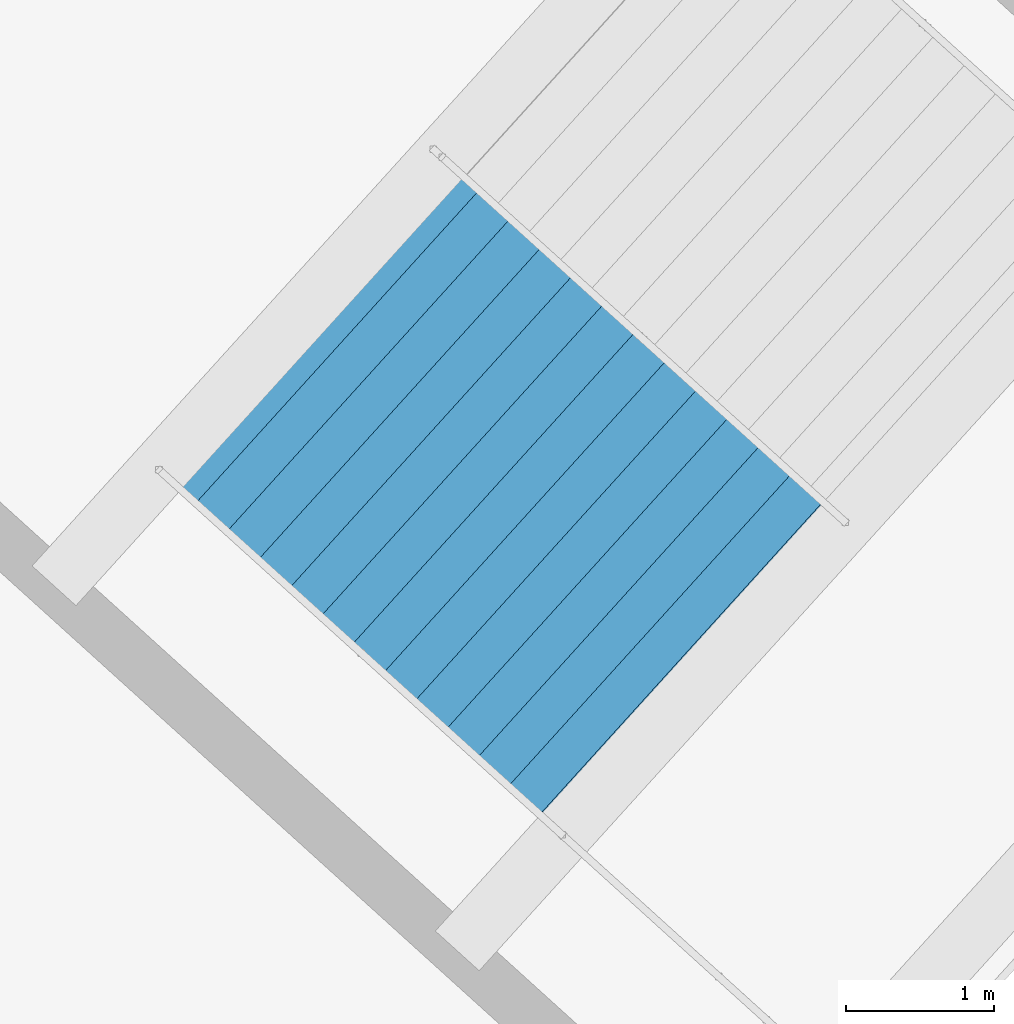
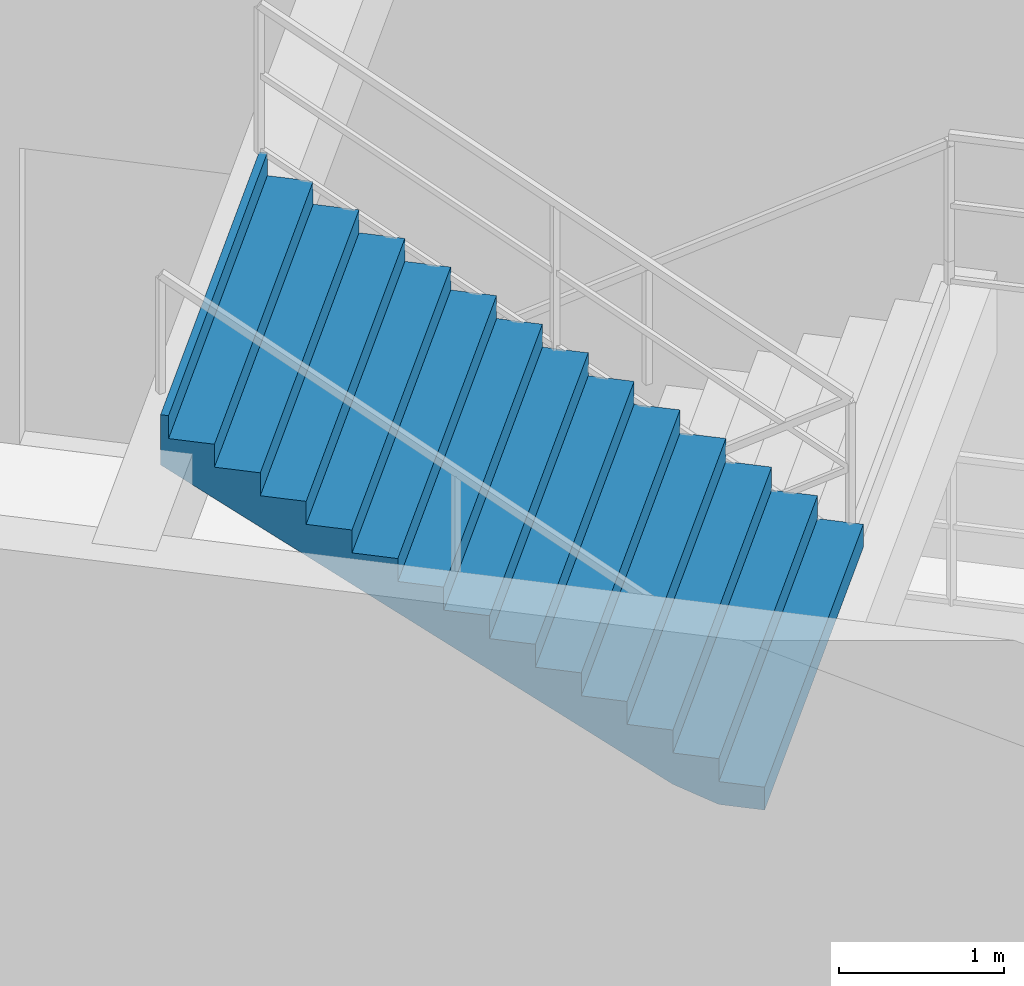
# One storey, part 116 of 156: 1 stair flight, 1 element without a shape of its own.
"""IFC4 building model written with IfcOpenShell, lengths in metres."""

from ifc_helpers import new_model, si_unit, direction, frame, origin, place, context, subcontext, project, spatial, polygons, material, type_object, element, aggregate, save


model = new_model("IFC4")

# Units and contexts
model_context = context("Model", 3, precision=1e-05, world=origin(), true_north=direction((0.0, 1.0)))
body_context = subcontext(model_context, "Body", "Model", "MODEL_VIEW")
ifc_project = project(units=[si_unit("LENGTHUNIT", "METRE"), si_unit("AREAUNIT", "SQUARE_METRE"), si_unit("VOLUMEUNIT", "CUBIC_METRE"), si_unit("PLANEANGLEUNIT", "RADIAN"), si_unit("MASSUNIT", "GRAM", prefix="KILO")], contexts=[model_context])

# Site, building, storey
site_placement = place(None, origin())
site = spatial("IfcSite", under=ifc_project, at=site_placement, CompositionType="ELEMENT")
building_placement = place(site_placement, origin())
building = spatial("IfcBuilding", under=site, at=building_placement, Name="Kazemori Nagisa Stadium", CompositionType="ELEMENT")
storey_placement = place(building_placement, frame((0.0, 0.0, 5.780029296875)))
storey = spatial("IfcBuildingStorey", under=building, at=storey_placement, Name="L01", CompositionType="ELEMENT", Elevation=5.780029296875)

# Stair, stair flight
ifc_material = material(Name="Concrete C36/45 (Fc36)", Category="concrete")
stair_type = type_object("IfcStairType", Name="Stair_CORE_28", PredefinedType="TWO_STRAIGHT_RUN_STAIR", material=ifc_material)
stair_placement = place(storey_placement, origin())
stair = element("IfcStair", 1, at=stair_placement, inside=storey, type_object=stair_type, Name="Exit stair ST03 L01", PredefinedType="TWO_STRAIGHT_RUN_STAIR")
stair_flight_type = type_object("IfcStairFlightType", Name="Flight_CORE_14", PredefinedType="STRAIGHT", material=ifc_material)
stair_flight_placement = place(storey_placement, frame((55.038330078125, 42.976318359375, 2.3798828125), z_axis=(0.0, 0.0, 1.0), x_axis=(-0.741324991793, 0.671146225903, 0.0)))
stair_flight = element("IfcStairFlight", 2, at=stair_flight_placement, type_object=stair_flight_type, Name="Exit stair ST03 L01 flight 2", NumberOfRisers=14, NumberOfTreads=13, PredefinedType="STRAIGHT", RiserHeight=0.17, TreadLength=0.285, context=body_context, shape_type="Tessellation", body=[
    polygons([(0.0, -1.425048828125, 0.0), (0.0, -1.425048828125, 0.169921875), (0.284912109375, -1.425048828125, 0.169921875), (0.284912109375, -1.425048828125, 0.340087890625), (0.570068359375, -1.425048828125, 0.340087890625), (0.570068359375, -1.425048828125, 0.510009765625), (0.85498046875, -1.425048828125, 0.510009765625), (0.85498046875, -1.425048828125, 0.679931640625), (1.139892578125, -1.425048828125, 0.679931640625), (1.139892578125, -1.425048828125, 0.85009765625), (1.425048828125, -1.425048828125, 0.85009765625), (1.425048828125, -1.425048828125, 1.02001953125), (1.7099609375, -1.425048828125, 1.02001953125), (1.7099609375, -1.425048828125, 1.18994140625), (1.9951171875, -1.425048828125, 1.18994140625), (1.9951171875, -1.425048828125, 1.360107421875), (2.280029296875, -1.425048828125, 1.360107421875), (2.280029296875, -1.425048828125, 1.530029296875), (2.56494140625, -1.425048828125, 1.530029296875), (2.56494140625, -1.425048828125, 1.699951171875), (2.85009765625, -1.425048828125, 1.699951171875), (2.85009765625, -1.425048828125, 1.8701171875), (3.135009765625, -1.425048828125, 1.8701171875), (3.135009765625, -1.425048828125, 2.0400390625), (3.419921875, -1.425048828125, 2.0400390625), (3.419921875, -1.425048828125, 2.2099609375), (3.705078125, -1.425048828125, 2.2099609375), (3.705078125, -1.425048828125, 2.3798828125), (3.7548828125, -1.425048828125, 2.3798828125), (3.7548828125, -1.425048828125, 2.007080078125), (3.705078125, -1.425048828125, 1.977294921875), (3.419921875, -1.425048828125, 1.80712890625), (3.135009765625, -1.425048828125, 1.63720703125), (2.85009765625, -1.425048828125, 1.46728515625), (2.56494140625, -1.425048828125, 1.297119140625), (2.280029296875, -1.425048828125, 1.127197265625), (1.9951171875, -1.425048828125, 0.957275390625), (1.7099609375, -1.425048828125, 0.787109375), (1.425048828125, -1.425048828125, 0.6171875), (1.139892578125, -1.425048828125, 0.447265625), (0.85498046875, -1.425048828125, 0.277099609375), (0.570068359375, -1.425048828125, 0.107177734375), (0.284912109375, -1.425048828125, 0.0), (0.0, -0.08544921875, 0.0), (0.0, -0.08544921875, 0.169921875), (0.284912109375, -0.08544921875, 0.169921875), (0.284912109375, -0.08544921875, 0.340087890625), (0.570068359375, -0.08544921875, 0.340087890625), (0.570068359375, -0.08544921875, 0.510009765625), (0.85498046875, -0.08544921875, 0.510009765625), (0.85498046875, -0.08544921875, 0.679931640625), (1.139892578125, -0.08544921875, 0.679931640625), (1.139892578125, -0.08544921875, 0.85009765625), (1.425048828125, -0.08544921875, 0.85009765625), (1.425048828125, -0.08544921875, 1.02001953125), (1.7099609375, -0.08544921875, 1.02001953125), (1.7099609375, -0.08544921875, 1.18994140625), (1.9951171875, -0.08544921875, 1.18994140625), (1.9951171875, -0.08544921875, 1.360107421875), (2.280029296875, -0.08544921875, 1.360107421875), (2.280029296875, -0.08544921875, 1.530029296875), (2.56494140625, -0.08544921875, 1.530029296875), (2.56494140625, -0.08544921875, 1.699951171875), (2.85009765625, -0.08544921875, 1.699951171875), (2.85009765625, -0.08544921875, 1.8701171875), (3.135009765625, -0.08544921875, 1.8701171875), (3.135009765625, -0.08544921875, 2.0400390625), (3.419921875, -0.08544921875, 2.0400390625), (3.419921875, -0.08544921875, 2.2099609375), (3.705078125, -0.08544921875, 2.2099609375), (3.705078125, -0.08544921875, 2.3798828125), (3.7548828125, -0.08544921875, 2.3798828125), (3.7548828125, -0.08544921875, 2.007080078125), (3.705078125, -0.08544921875, 1.977294921875), (3.419921875, -0.08544921875, 1.80712890625), (3.135009765625, -0.08544921875, 1.63720703125), (2.85009765625, -0.08544921875, 1.46728515625), (2.56494140625, -0.08544921875, 1.297119140625), (2.280029296875, -0.08544921875, 1.127197265625), (1.9951171875, -0.08544921875, 0.957275390625), (1.7099609375, -0.08544921875, 0.787109375), (1.425048828125, -0.08544921875, 0.6171875), (1.139892578125, -0.08544921875, 0.447265625), (0.85498046875, -0.08544921875, 0.277099609375), (0.570068359375, -0.08544921875, 0.107177734375), (0.284912109375, -0.08544921875, 0.0), (0.0, 0.0, 0.0), (0.0, 0.0, 0.169921875), (0.284912109375, 0.0, 0.169921875), (0.284912109375, 0.0, 0.340087890625), (0.570068359375, 0.0, 0.340087890625), (0.570068359375, 0.0, 0.510009765625), (0.85498046875, 0.0, 0.510009765625), (0.85498046875, 0.0, 0.679931640625), (1.139892578125, 0.0, 0.679931640625), (1.139892578125, 0.0, 0.85009765625), (1.425048828125, 0.0, 0.85009765625), (1.425048828125, 0.0, 1.02001953125), (1.7099609375, 0.0, 1.02001953125), (1.7099609375, 0.0, 1.18994140625), (1.9951171875, 0.0, 1.18994140625), (1.9951171875, 0.0, 1.360107421875), (2.280029296875, 0.0, 1.360107421875), (2.280029296875, 0.0, 1.530029296875), (2.56494140625, 0.0, 1.530029296875), (2.56494140625, 0.0, 1.699951171875), (2.85009765625, 0.0, 1.699951171875), (2.85009765625, 0.0, 1.8701171875), (3.135009765625, 0.0, 1.8701171875), (3.135009765625, 0.0, 2.0400390625), (3.419921875, 0.0, 2.0400390625), (3.419921875, 0.0, 2.2099609375), (3.705078125, 0.0, 2.2099609375), (3.705078125, 0.0, 2.3798828125), (3.7548828125, 0.0, 2.3798828125), (3.7548828125, 0.0, 2.007080078125), (3.705078125, 0.0, 1.977294921875), (3.419921875, 0.0, 1.80712890625), (3.135009765625, 0.0, 1.63720703125), (2.85009765625, 0.0, 1.46728515625), (2.56494140625, 0.0, 1.297119140625), (2.280029296875, 0.0, 1.127197265625), (1.9951171875, 0.0, 0.957275390625), (1.7099609375, 0.0, 0.787109375), (1.425048828125, 0.0, 0.6171875), (1.139892578125, 0.0, 0.447265625), (0.85498046875, 0.0, 0.277099609375), (0.570068359375, 0.0, 0.107177734375), (0.284912109375, 0.0, 0.0), (0.0, 0.08544921875, 0.0), (0.0, 0.08544921875, 0.169921875), (0.284912109375, 0.08544921875, 0.169921875), (0.284912109375, 0.08544921875, 0.340087890625), (0.570068359375, 0.08544921875, 0.340087890625), (0.570068359375, 0.08544921875, 0.510009765625), (0.85498046875, 0.08544921875, 0.510009765625), (0.85498046875, 0.08544921875, 0.679931640625), (1.139892578125, 0.08544921875, 0.679931640625), (1.139892578125, 0.08544921875, 0.85009765625), (1.425048828125, 0.08544921875, 0.85009765625), (1.425048828125, 0.08544921875, 1.02001953125), (1.7099609375, 0.08544921875, 1.02001953125), (1.7099609375, 0.08544921875, 1.18994140625), (1.9951171875, 0.08544921875, 1.18994140625), (1.9951171875, 0.08544921875, 1.360107421875), (2.280029296875, 0.08544921875, 1.360107421875), (2.280029296875, 0.08544921875, 1.530029296875), (2.56494140625, 0.08544921875, 1.530029296875), (2.56494140625, 0.08544921875, 1.699951171875), (2.85009765625, 0.08544921875, 1.699951171875), (2.85009765625, 0.08544921875, 1.8701171875), (3.135009765625, 0.08544921875, 1.8701171875), (3.135009765625, 0.08544921875, 2.0400390625), (3.419921875, 0.08544921875, 2.0400390625), (3.419921875, 0.08544921875, 2.2099609375), (3.705078125, 0.08544921875, 2.2099609375), (3.705078125, 0.08544921875, 2.3798828125), (3.7548828125, 0.08544921875, 2.3798828125), (3.7548828125, 0.08544921875, 2.007080078125), (3.705078125, 0.08544921875, 1.977294921875), (3.419921875, 0.08544921875, 1.80712890625), (3.135009765625, 0.08544921875, 1.63720703125), (2.85009765625, 0.08544921875, 1.46728515625), (2.56494140625, 0.08544921875, 1.297119140625), (2.280029296875, 0.08544921875, 1.127197265625), (1.9951171875, 0.08544921875, 0.957275390625), (1.7099609375, 0.08544921875, 0.787109375), (1.425048828125, 0.08544921875, 0.6171875), (1.139892578125, 0.08544921875, 0.447265625), (0.85498046875, 0.08544921875, 0.277099609375), (0.570068359375, 0.08544921875, 0.107177734375), (0.284912109375, 0.08544921875, 0.0), (0.0, 1.425048828125, 0.0), (0.0, 1.425048828125, 0.169921875), (0.284912109375, 1.425048828125, 0.169921875), (0.284912109375, 1.425048828125, 0.340087890625), (0.570068359375, 1.425048828125, 0.340087890625), (0.570068359375, 1.425048828125, 0.510009765625), (0.85498046875, 1.425048828125, 0.510009765625), (0.85498046875, 1.425048828125, 0.679931640625), (1.139892578125, 1.425048828125, 0.679931640625), (1.139892578125, 1.425048828125, 0.85009765625), (1.425048828125, 1.425048828125, 0.85009765625), (1.425048828125, 1.425048828125, 1.02001953125), (1.7099609375, 1.425048828125, 1.02001953125), (1.7099609375, 1.425048828125, 1.18994140625), (1.9951171875, 1.425048828125, 1.18994140625), (1.9951171875, 1.425048828125, 1.360107421875), (2.280029296875, 1.425048828125, 1.360107421875), (2.280029296875, 1.425048828125, 1.530029296875), (2.56494140625, 1.425048828125, 1.530029296875), (2.56494140625, 1.425048828125, 1.699951171875), (2.85009765625, 1.425048828125, 1.699951171875), (2.85009765625, 1.425048828125, 1.8701171875), (3.135009765625, 1.425048828125, 1.8701171875), (3.135009765625, 1.425048828125, 2.0400390625), (3.419921875, 1.425048828125, 2.0400390625), (3.419921875, 1.425048828125, 2.2099609375), (3.705078125, 1.425048828125, 2.2099609375), (3.705078125, 1.425048828125, 2.3798828125), (3.7548828125, 1.425048828125, 2.3798828125), (3.7548828125, 1.425048828125, 2.007080078125), (3.705078125, 1.425048828125, 1.977294921875), (3.419921875, 1.425048828125, 1.80712890625), (3.135009765625, 1.425048828125, 1.63720703125), (2.85009765625, 1.425048828125, 1.46728515625), (2.56494140625, 1.425048828125, 1.297119140625), (2.280029296875, 1.425048828125, 1.127197265625), (1.9951171875, 1.425048828125, 0.957275390625), (1.7099609375, 1.425048828125, 0.787109375), (1.425048828125, 1.425048828125, 0.6171875), (1.139892578125, 1.425048828125, 0.447265625), (0.85498046875, 1.425048828125, 0.277099609375), (0.570068359375, 1.425048828125, 0.107177734375), (0.284912109375, 1.425048828125, 0.0)], [[[1, 2, 45]], [[1, 45, 44]], [[2, 3, 46]], [[2, 46, 45]], [[3, 4, 47]], [[3, 47, 46]], [[4, 5, 48]], [[4, 48, 47]], [[5, 6, 49]], [[5, 49, 48]], [[6, 7, 50]], [[6, 50, 49]], [[7, 8, 51]], [[7, 51, 50]], [[8, 9, 52]], [[8, 52, 51]], [[9, 10, 53]], [[9, 53, 52]], [[10, 11, 54]], [[10, 54, 53]], [[11, 12, 55]], [[11, 55, 54]], [[12, 13, 56]], [[12, 56, 55]], [[13, 14, 57]], [[13, 57, 56]], [[14, 15, 58]], [[14, 58, 57]], [[15, 16, 59]], [[15, 59, 58]], [[16, 17, 60]], [[16, 60, 59]], [[17, 18, 61]], [[17, 61, 60]], [[18, 19, 62]], [[18, 62, 61]], [[19, 20, 63]], [[19, 63, 62]], [[20, 21, 64]], [[20, 64, 63]], [[21, 22, 65]], [[21, 65, 64]], [[22, 23, 66]], [[22, 66, 65]], [[23, 24, 67]], [[23, 67, 66]], [[24, 25, 68]], [[24, 68, 67]], [[25, 26, 69]], [[25, 69, 68]], [[26, 27, 70]], [[26, 70, 69]], [[27, 28, 71]], [[27, 71, 70]], [[28, 29, 72]], [[28, 72, 71]], [[29, 30, 73]], [[29, 73, 72]], [[30, 31, 74]], [[30, 74, 73]], [[31, 32, 75]], [[31, 75, 74]], [[32, 33, 76]], [[32, 76, 75]], [[33, 34, 77]], [[33, 77, 76]], [[34, 35, 78]], [[34, 78, 77]], [[35, 36, 79]], [[35, 79, 78]], [[36, 37, 80]], [[36, 80, 79]], [[37, 38, 81]], [[37, 81, 80]], [[38, 39, 82]], [[38, 82, 81]], [[39, 40, 83]], [[39, 83, 82]], [[40, 41, 84]], [[40, 84, 83]], [[41, 42, 85]], [[41, 85, 84]], [[42, 43, 86]], [[42, 86, 85]], [[43, 1, 44]], [[43, 44, 86]], [[44, 45, 88]], [[44, 88, 87]], [[45, 46, 89]], [[45, 89, 88]], [[46, 47, 90]], [[46, 90, 89]], [[47, 48, 91]], [[47, 91, 90]], [[48, 49, 92]], [[48, 92, 91]], [[49, 50, 93]], [[49, 93, 92]], [[50, 51, 94]], [[50, 94, 93]], [[51, 52, 95]], [[51, 95, 94]], [[52, 53, 96]], [[52, 96, 95]], [[53, 54, 97]], [[53, 97, 96]], [[54, 55, 98]], [[54, 98, 97]], [[55, 56, 99]], [[55, 99, 98]], [[56, 57, 100]], [[56, 100, 99]], [[57, 58, 101]], [[57, 101, 100]], [[58, 59, 102]], [[58, 102, 101]], [[59, 60, 103]], [[59, 103, 102]], [[60, 61, 104]], [[60, 104, 103]], [[61, 62, 105]], [[61, 105, 104]], [[62, 63, 106]], [[62, 106, 105]], [[63, 64, 107]], [[63, 107, 106]], [[64, 65, 108]], [[64, 108, 107]], [[65, 66, 109]], [[65, 109, 108]], [[66, 67, 110]], [[66, 110, 109]], [[67, 68, 111]], [[67, 111, 110]], [[68, 69, 112]], [[68, 112, 111]], [[69, 70, 113]], [[69, 113, 112]], [[70, 71, 114]], [[70, 114, 113]], [[71, 72, 115]], [[71, 115, 114]], [[72, 73, 116]], [[72, 116, 115]], [[73, 74, 117]], [[73, 117, 116]], [[74, 75, 118]], [[74, 118, 117]], [[75, 76, 119]], [[75, 119, 118]], [[76, 77, 120]], [[76, 120, 119]], [[77, 78, 121]], [[77, 121, 120]], [[78, 79, 122]], [[78, 122, 121]], [[79, 80, 123]], [[79, 123, 122]], [[80, 81, 124]], [[80, 124, 123]], [[81, 82, 125]], [[81, 125, 124]], [[82, 83, 126]], [[82, 126, 125]], [[83, 84, 127]], [[83, 127, 126]], [[84, 85, 128]], [[84, 128, 127]], [[85, 86, 129]], [[85, 129, 128]], [[86, 44, 87]], [[86, 87, 129]], [[87, 88, 131]], [[87, 131, 130]], [[88, 89, 132]], [[88, 132, 131]], [[89, 90, 133]], [[89, 133, 132]], [[90, 91, 134]], [[90, 134, 133]], [[91, 92, 135]], [[91, 135, 134]], [[92, 93, 136]], [[92, 136, 135]], [[93, 94, 137]], [[93, 137, 136]], [[94, 95, 138]], [[94, 138, 137]], [[95, 96, 139]], [[95, 139, 138]], [[96, 97, 140]], [[96, 140, 139]], [[97, 98, 141]], [[97, 141, 140]], [[98, 99, 142]], [[98, 142, 141]], [[99, 100, 143]], [[99, 143, 142]], [[100, 101, 144]], [[100, 144, 143]], [[101, 102, 145]], [[101, 145, 144]], [[102, 103, 146]], [[102, 146, 145]], [[103, 104, 147]], [[103, 147, 146]], [[104, 105, 148]], [[104, 148, 147]], [[105, 106, 149]], [[105, 149, 148]], [[106, 107, 150]], [[106, 150, 149]], [[107, 108, 151]], [[107, 151, 150]], [[108, 109, 152]], [[108, 152, 151]], [[109, 110, 153]], [[109, 153, 152]], [[110, 111, 154]], [[110, 154, 153]], [[111, 112, 155]], [[111, 155, 154]], [[112, 113, 156]], [[112, 156, 155]], [[113, 114, 157]], [[113, 157, 156]], [[114, 115, 158]], [[114, 158, 157]], [[115, 116, 159]], [[115, 159, 158]], [[116, 117, 160]], [[116, 160, 159]], [[117, 118, 161]], [[117, 161, 160]], [[118, 119, 162]], [[118, 162, 161]], [[119, 120, 163]], [[119, 163, 162]], [[120, 121, 164]], [[120, 164, 163]], [[121, 122, 165]], [[121, 165, 164]], [[122, 123, 166]], [[122, 166, 165]], [[123, 124, 167]], [[123, 167, 166]], [[124, 125, 168]], [[124, 168, 167]], [[125, 126, 169]], [[125, 169, 168]], [[126, 127, 170]], [[126, 170, 169]], [[127, 128, 171]], [[127, 171, 170]], [[128, 129, 172]], [[128, 172, 171]], [[129, 87, 130]], [[129, 130, 172]], [[130, 131, 174]], [[130, 174, 173]], [[131, 132, 175]], [[131, 175, 174]], [[132, 133, 176]], [[132, 176, 175]], [[133, 134, 177]], [[133, 177, 176]], [[134, 135, 178]], [[134, 178, 177]], [[135, 136, 179]], [[135, 179, 178]], [[136, 137, 180]], [[136, 180, 179]], [[137, 138, 181]], [[137, 181, 180]], [[138, 139, 182]], [[138, 182, 181]], [[139, 140, 183]], [[139, 183, 182]], [[140, 141, 184]], [[140, 184, 183]], [[141, 142, 185]], [[141, 185, 184]], [[142, 143, 186]], [[142, 186, 185]], [[143, 144, 187]], [[143, 187, 186]], [[144, 145, 188]], [[144, 188, 187]], [[145, 146, 189]], [[145, 189, 188]], [[146, 147, 190]], [[146, 190, 189]], [[147, 148, 191]], [[147, 191, 190]], [[148, 149, 192]], [[148, 192, 191]], [[149, 150, 193]], [[149, 193, 192]], [[150, 151, 194]], [[150, 194, 193]], [[151, 152, 195]], [[151, 195, 194]], [[152, 153, 196]], [[152, 196, 195]], [[153, 154, 197]], [[153, 197, 196]], [[154, 155, 198]], [[154, 198, 197]], [[155, 156, 199]], [[155, 199, 198]], [[156, 157, 200]], [[156, 200, 199]], [[157, 158, 201]], [[157, 201, 200]], [[158, 159, 202]], [[158, 202, 201]], [[159, 160, 203]], [[159, 203, 202]], [[160, 161, 204]], [[160, 204, 203]], [[161, 162, 205]], [[161, 205, 204]], [[162, 163, 206]], [[162, 206, 205]], [[163, 164, 207]], [[163, 207, 206]], [[164, 165, 208]], [[164, 208, 207]], [[165, 166, 209]], [[165, 209, 208]], [[166, 167, 210]], [[166, 210, 209]], [[167, 168, 211]], [[167, 211, 210]], [[168, 169, 212]], [[168, 212, 211]], [[169, 170, 213]], [[169, 213, 212]], [[170, 171, 214]], [[170, 214, 213]], [[171, 172, 215]], [[171, 215, 214]], [[172, 130, 173]], [[172, 173, 215]], [[3, 2, 1]], [[173, 174, 175]], [[43, 3, 1]], [[173, 175, 215]], [[42, 3, 43]], [[215, 175, 214]], [[5, 3, 42]], [[214, 175, 177]], [[5, 4, 3]], [[175, 176, 177]], [[41, 5, 42]], [[214, 177, 213]], [[7, 5, 41]], [[213, 177, 179]], [[7, 6, 5]], [[177, 178, 179]], [[40, 7, 41]], [[213, 179, 212]], [[9, 7, 40]], [[212, 179, 181]], [[9, 8, 7]], [[179, 180, 181]], [[39, 9, 40]], [[212, 181, 211]], [[11, 9, 39]], [[211, 181, 183]], [[11, 10, 9]], [[181, 182, 183]], [[38, 11, 39]], [[211, 183, 210]], [[13, 11, 38]], [[210, 183, 185]], [[13, 12, 11]], [[183, 184, 185]], [[37, 13, 38]], [[210, 185, 209]], [[15, 13, 37]], [[209, 185, 187]], [[15, 14, 13]], [[185, 186, 187]], [[36, 15, 37]], [[209, 187, 208]], [[17, 15, 36]], [[208, 187, 189]], [[17, 16, 15]], [[187, 188, 189]], [[35, 17, 36]], [[208, 189, 207]], [[19, 17, 35]], [[207, 189, 191]], [[19, 18, 17]], [[189, 190, 191]], [[34, 19, 35]], [[207, 191, 206]], [[21, 19, 34]], [[206, 191, 193]], [[21, 20, 19]], [[191, 192, 193]], [[33, 21, 34]], [[206, 193, 205]], [[23, 21, 33]], [[205, 193, 195]], [[23, 22, 21]], [[193, 194, 195]], [[32, 23, 33]], [[205, 195, 204]], [[25, 23, 32]], [[204, 195, 197]], [[25, 24, 23]], [[195, 196, 197]], [[31, 25, 32]], [[204, 197, 203]], [[27, 25, 31]], [[203, 197, 199]], [[27, 26, 25]], [[197, 198, 199]], [[30, 27, 31]], [[203, 199, 202]], [[29, 27, 30]], [[202, 199, 201]], [[29, 28, 27]], [[199, 200, 201]]], closed=True),
])
aggregate(stair, [stair_flight])

save(model, "model.ifc")
